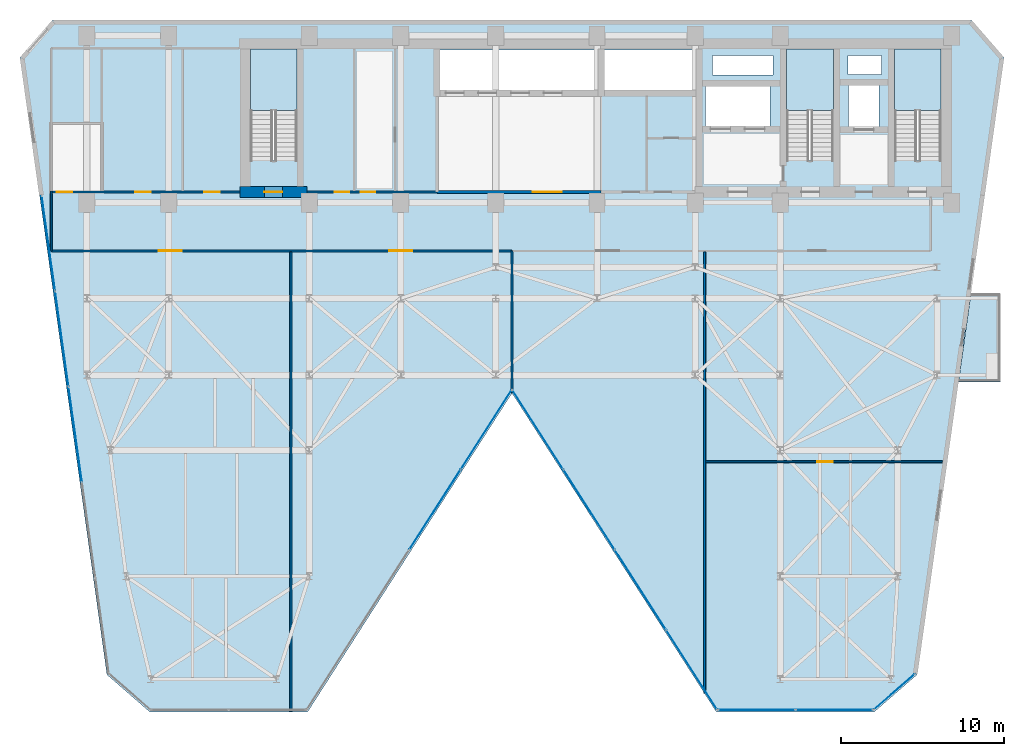
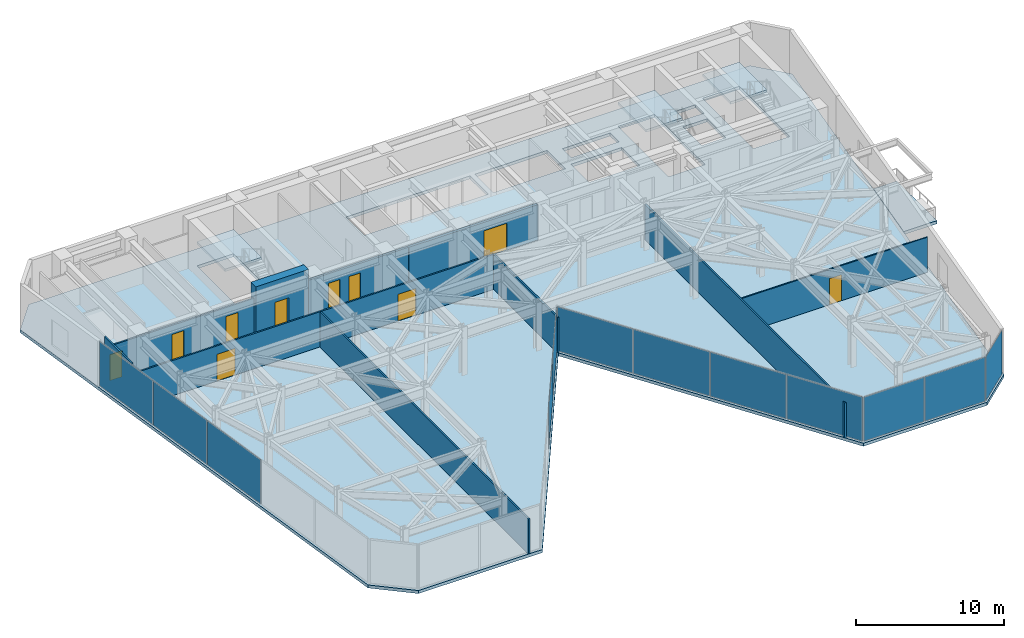
# One storey, part 21 of 26: 12 plates, 10 doors, 10 walls, 5 slabs, 10 openings, 8 elements without a shape of their own.
"""IFC4 building model written with IfcOpenShell, lengths in metres."""

from ifc_helpers import new_model, si_unit, direction, frame, frame_2d, origin, origin_2d, place, context, subcontext, project, spatial, polyline, rectangle, outline, extrude, material, layer, layer_set, type_object, element, fill, aggregate, save


model = new_model("IFC4")

# Units and contexts
model_context = context("Model", 3, precision=1e-05, world=origin(), true_north=direction((0.0, 1.0)))
body_context = subcontext(model_context, "Body", "Model", "MODEL_VIEW")
ifc_project = project(units=[si_unit("LENGTHUNIT", "METRE"), si_unit("AREAUNIT", "SQUARE_METRE"), si_unit("VOLUMEUNIT", "CUBIC_METRE"), si_unit("PLANEANGLEUNIT", "RADIAN"), si_unit("MASSUNIT", "GRAM", prefix="KILO")], contexts=[model_context])

# Site, building, storey
site_placement = place(None, origin())
site = spatial("IfcSite", under=ifc_project, at=site_placement, CompositionType="ELEMENT")
building_placement = place(site_placement, origin())
building = spatial("IfcBuilding", under=site, at=building_placement, Name="Kravanh Interchange Tower", CompositionType="ELEMENT")
storey_placement = place(building_placement, frame((0.0, 0.0, 120.0)))
storey = spatial("IfcBuildingStorey", under=building, at=storey_placement, Name="L28", CompositionType="ELEMENT", Elevation=120.0)

# Slab
ifc_material_1 = material(Name="Concrete C50/60", Category="concrete")
ifc_layer_1 = layer(ifc_material_1, 0.25)
ifc_layer_set_1 = layer_set([ifc_layer_1], Name="Composite Floor Slab Concrete C50/60 250mm")
slab_type_1 = type_object("IfcSlabType", Name="Composite Floor Slab Concrete C50/60 250mm", PredefinedType="FLOOR", material=ifc_layer_set_1)
slab_1_placement = place(storey_placement, frame((0.0, 0.0, -0.25)))
element("IfcSlab", 1, at=slab_1_placement, inside=storey, type_object=slab_type_1, Name="L28 Structural Floor Slab", PredefinedType="FLOOR", context=body_context, shape_type="SweptSolid", body=[
    extrude(outline(polyline([(14.82470703125, 8.4775390625), (17.44482421875, 6.199951171875), (27.10009765625, 6.199951171875), (39.60009765625, 25.699951171875), (52.10009765625, 6.199951171875), (61.755126953125, 6.199951171875), (64.375244140625, 8.4775390625), (69.679931640625, 46.222412109375), (67.699951171875, 48.5), (11.5, 48.5), (9.52001953125, 46.222412109375), (14.82470703125, 8.4775390625)]), holes=[polyline([(65.85009765625, 39.925048828125), (65.85009765625, 46.75), (63.0, 46.75), (63.0, 39.925048828125), (65.85009765625, 39.925048828125)]), polyline([(59.25, 39.925048828125), (59.25, 46.75), (56.39990234375, 46.75), (56.39990234375, 39.925048828125), (59.25, 39.925048828125)]), polyline([(26.449951171875, 39.925048828125), (26.449951171875, 46.75), (23.60009765625, 46.75), (23.60009765625, 39.925048828125), (26.449951171875, 39.925048828125)]), polyline([(35.179931640625, 44.219970703125), (44.840087890625, 44.219970703125), (44.840087890625, 46.699951171875), (35.179931640625, 46.699951171875), (35.179931640625, 44.219970703125)]), polyline([(45.239990234375, 44.219970703125), (50.840087890625, 44.219970703125), (50.840087890625, 46.699951171875), (45.239990234375, 46.699951171875), (45.239990234375, 44.219970703125)]), polyline([(51.419921875, 42.02001953125), (55.3798828125, 42.02001953125), (55.3798828125, 44.47998046875), (51.419921875, 44.47998046875), (51.419921875, 42.02001953125)]), polyline([(60.179931640625, 41.97998046875), (62.06005859375, 41.97998046875), (62.06005859375, 44.52001953125), (60.179931640625, 44.52001953125), (60.179931640625, 41.97998046875)]), polyline([(60.14990234375, 45.199951171875), (62.199951171875, 45.199951171875), (62.199951171875, 46.35009765625), (60.14990234375, 46.35009765625), (60.14990234375, 45.199951171875)]), polyline([(51.85009765625, 45.14990234375), (55.550048828125, 45.14990234375), (55.550048828125, 46.35009765625), (51.85009765625, 46.35009765625), (51.85009765625, 45.14990234375)])]), origin(), (0.0, 0.0, 1.0), 0.25),
])

# Stair, slab
ifc_material_2 = material(Name="Concrete C50/60", Category="concrete")
stair_type = type_object("IfcStairType", Name="Core Fire Exit Dogleg Stair Concrete C50/60", PredefinedType="HALF_TURN_STAIR", material=ifc_material_2)
stair_1_placement = place(storey_placement, origin())
stair_1 = element("IfcStair", 2, at=stair_1_placement, inside=storey, type_object=stair_type, Name="L28 Exit Stair ST1", PredefinedType="HALF_TURN_STAIR")
ifc_material_3 = material(Name="Concrete C50/60", Category="concrete")
ifc_layer_2 = layer(ifc_material_3, 0.199951171875)
ifc_layer_set_2 = layer_set([ifc_layer_2], Name="Concrete C50/60 Stair Half-Landing Slab 200mm")
slab_type_2 = type_object("IfcSlabType", Name="Concrete C50/60 Stair Half-Landing Slab 200mm", PredefinedType="LANDING", material=ifc_layer_set_2)
slab_2_placement = place(storey_placement, frame((0.0, 0.0, 1.800048828125)))
slab_2 = element("IfcSlab", 3, at=slab_2_placement, type_object=slab_type_2, Name="ST1 landing 1", PredefinedType="LANDING", context=body_context, shape_type="SweptSolid", body=[
    extrude(outline(polyline([(65.85009765625, 42.97998046875), (65.85009765625, 46.75), (63.0, 46.75), (63.0, 42.97998046875), (65.85009765625, 42.97998046875)])), origin(), (0.0, 0.0, 1.0), 0.199951171875),
])
aggregate(stair_1, [slab_2])

stair_2_placement = place(storey_placement, origin())
stair_2 = element("IfcStair", 4, at=stair_2_placement, inside=storey, type_object=stair_type, Name="L28 Exit Stair ST2", PredefinedType="HALF_TURN_STAIR")
slab_3_placement = place(storey_placement, frame((0.0, 0.0, 1.800048828125)))
slab_3 = element("IfcSlab", 5, at=slab_3_placement, type_object=slab_type_2, Name="ST2 landing 1", PredefinedType="LANDING", context=body_context, shape_type="SweptSolid", body=[
    extrude(outline(polyline([(59.25, 42.97998046875), (59.25, 46.75), (56.39990234375, 46.75), (56.39990234375, 42.97998046875), (59.25, 42.97998046875)])), origin(), (0.0, 0.0, 1.0), 0.199951171875),
])
aggregate(stair_2, [slab_3])

stair_3_placement = place(storey_placement, origin())
stair_3 = element("IfcStair", 6, at=stair_3_placement, inside=storey, type_object=stair_type, Name="L28 Exit Stair ST3", PredefinedType="HALF_TURN_STAIR")
slab_4_placement = place(storey_placement, frame((0.0, 0.0, 1.800048828125)))
slab_4 = element("IfcSlab", 7, at=slab_4_placement, type_object=slab_type_2, Name="ST3 landing 1", PredefinedType="LANDING", context=body_context, shape_type="SweptSolid", body=[
    extrude(outline(polyline([(26.449951171875, 42.97998046875), (26.449951171875, 46.75), (23.60009765625, 46.75), (23.60009765625, 42.97998046875), (26.449951171875, 42.97998046875)])), origin(), (0.0, 0.0, 1.0), 0.199951171875),
])
aggregate(stair_3, [slab_4])

# Slab
ifc_material_4 = material(Name="Concrete C50/60", Category="concrete")
ifc_layer_3 = layer(ifc_material_4, 0.199951171875)
ifc_layer_set_3 = layer_set([ifc_layer_3], Name="Planted Tree Balcony Slab Concrete C50/60 200mm")
slab_type_3 = type_object("IfcSlabType", Name="Planted Tree Balcony Slab Concrete C50/60 200mm", PredefinedType="USERDEFINED", material=ifc_layer_set_3)
slab_5_placement = place(storey_placement, frame((0.0, 0.0, -0.25)))
element("IfcSlab", 8, at=slab_5_placement, inside=storey, type_object=slab_type_3, Name="L28 East Tree Planter Balcony Slab", ObjectType="BALCONY", PredefinedType="USERDEFINED", context=body_context, shape_type="SweptSolid", body=[
    extrude(outline(polyline([(69.489990234375, 31.7900390625), (69.489990234375, 26.389892578125), (66.90771484375, 26.389892578125), (67.666748046875, 31.7900390625), (69.489990234375, 31.7900390625)])), origin(), (0.0, 0.0, 1.0), 0.25),
])

# Curtain wall, plates
ifc_material_5 = material(Name="Anodised Bronze Aluminium", Category="aluminium")
ifc_layer_4 = layer(ifc_material_5, 0.179931640625)
ifc_layer_set_4 = layer_set([ifc_layer_4], Name="Unitised Curtain Wall System CW-Z2 Mid Office")
curtain_wall_type = type_object("IfcCurtainWallType", Name="Unitised Curtain Wall System CW-Z2 Mid Office", PredefinedType="NOTDEFINED", material=ifc_layer_set_4)
curtain_wall_1_placement = place(storey_placement, origin())
curtain_wall_1 = element("IfcCurtainWall", 9, at=curtain_wall_1_placement, inside=storey, type_object=curtain_wall_type, Name="L28 Unitised Curtain Wall CW-L28-01", PredefinedType="NOTDEFINED")
ifc_material_6 = material(Name="Low-E Laminated Architectural Glass", Category="glass")
ifc_layer_5 = layer(ifc_material_6, 0.02587890625)
ifc_layer_set_5 = layer_set([ifc_layer_5], Name="Solar-Control Double Glazing 26mm")
plate_type = type_object("IfcPlateType", Name="Solar-Control Double Glazing 26mm", PredefinedType="CURTAIN_PANEL", material=ifc_layer_set_5)
plate_1_placement = place(storey_placement, frame((12.881103515625, 23.16943359375, 0.06005859375), z_axis=(0.0, 0.0, 1.0), x_axis=(-0.13917285118, 0.990268103846, 0.0)))
plate_1 = element("IfcPlate", 10, at=plate_1_placement, type_object=plate_type, Name="CW-Z2 panel 3.1", PredefinedType="CURTAIN_PANEL", context=body_context, shape_type="SweptSolid", body=[
    extrude(rectangle(XDim=5.849853515625, YDim=0.02587890625, at=origin_2d()), origin(), (0.0, 0.0, 1.0), 3.6298828125),
])
plate_2_placement = place(storey_placement, frame((12.058837890625, 29.021728515625, 0.06005859375), z_axis=(0.0, 0.0, 1.0), x_axis=(-0.13917285118, 0.990268103846, 0.0)))
plate_2 = element("IfcPlate", 11, at=plate_2_placement, type_object=plate_type, Name="CW-Z2 panel 4.1", PredefinedType="CURTAIN_PANEL", context=body_context, shape_type="SweptSolid", body=[
    extrude(rectangle(XDim=5.849853515625, YDim=0.02587890625, at=origin_2d()), origin(), (0.0, 0.0, 1.0), 3.6298828125),
])
plate_3_placement = place(storey_placement, frame((11.23828125, 34.859130859375, 0.06005859375), z_axis=(0.0, 0.0, 1.0), x_axis=(-0.13917285118, 0.990268103846, 0.0)))
plate_3 = element("IfcPlate", 12, at=plate_3_placement, type_object=plate_type, Name="CW-Z2 panel 5.1", PredefinedType="CURTAIN_PANEL", context=body_context, shape_type="SweptSolid", body=[
    extrude(rectangle(XDim=5.81982421875, YDim=0.02587890625, at=origin_2d()), origin(), (0.0, 0.0, 1.0), 3.6298828125),
])
aggregate(curtain_wall_1, [plate_1, plate_2, plate_3])

# Curtain wall, plate
curtain_wall_2_placement = place(storey_placement, origin())
curtain_wall_2 = element("IfcCurtainWall", 13, at=curtain_wall_2_placement, inside=storey, type_object=curtain_wall_type, Name="L28 Unitised Curtain Wall CW-L28-02", PredefinedType="NOTDEFINED")
plate_4_placement = place(storey_placement, frame((62.986328125, 7.429443359375, 0.06005859375), z_axis=(0.0, 0.0, 1.0), x_axis=(-0.754719458103, -0.656047665617, 0.0)))
plate_4 = element("IfcPlate", 14, at=plate_4_placement, type_object=plate_type, Name="CW-Z2 panel 1.1", PredefinedType="CURTAIN_PANEL", context=body_context, shape_type="SweptSolid", body=[
    extrude(rectangle(XDim=3.261962890625, YDim=0.02587890625, at=origin_2d()), origin(), (0.0, 0.0, 1.0), 3.6298828125),
])
aggregate(curtain_wall_2, [plate_4])

# Curtain wall, plates
curtain_wall_3_placement = place(storey_placement, origin())
curtain_wall_3 = element("IfcCurtainWall", 15, at=curtain_wall_3_placement, inside=storey, type_object=curtain_wall_type, Name="L28 Unitised Curtain Wall CW-L28-03", PredefinedType="NOTDEFINED")
plate_5_placement = place(storey_placement, frame((59.30908203125, 6.320068359375, 0.06005859375), z_axis=(0.0, 0.0, 1.0), x_axis=(-1.0, 0.0, 0.0)))
plate_5 = element("IfcPlate", 16, at=plate_5_placement, type_object=plate_type, Name="CW-Z2 panel 1.1", PredefinedType="CURTAIN_PANEL", context=body_context, shape_type="SweptSolid", body=[
    extrude(rectangle(XDim=4.682373046875, YDim=0.02587890625, at=origin_2d()), origin(), (0.0, 0.0, 1.0), 3.6298828125),
])
plate_6_placement = place(storey_placement, frame((54.566650390625, 6.320068359375, 0.06005859375), z_axis=(0.0, 0.0, 1.0), x_axis=(-1.0, 0.0, 0.0)))
plate_6 = element("IfcPlate", 17, at=plate_6_placement, type_object=plate_type, Name="CW-Z2 panel 2.1", PredefinedType="CURTAIN_PANEL", context=body_context, shape_type="SweptSolid", body=[
    extrude(rectangle(XDim=4.682373046875, YDim=0.02587890625, at=origin_2d()), origin(), (0.0, 0.0, 1.0), 3.6298828125),
])
aggregate(curtain_wall_3, [plate_5, plate_6])

curtain_wall_4_placement = place(storey_placement, origin())
curtain_wall_4 = element("IfcCurtainWall", 18, at=curtain_wall_4_placement, inside=storey, type_object=curtain_wall_type, Name="L28 Unitised Curtain Wall CW-L28-04", PredefinedType="NOTDEFINED")
plate_7_placement = place(storey_placement, frame((50.5869140625, 8.782958984375, 0.06005859375), z_axis=(0.0, 0.0, 1.0), x_axis=(-0.539664865919, 0.841879939476, 0.0)))
plate_7 = element("IfcPlate", 19, at=plate_7_placement, type_object=plate_type, Name="CW-Z2 panel 1.1", PredefinedType="CURTAIN_PANEL", context=body_context, shape_type="SweptSolid", body=[
    extrude(rectangle(XDim=5.73095703125, YDim=0.02587890625, at=origin_2d()), origin(), (0.0, 0.0, 1.0), 3.6298828125),
])
plate_8_placement = place(storey_placement, frame((47.45361328125, 13.6708984375, 0.06005859375), z_axis=(0.0, 0.0, 1.0), x_axis=(-0.539664865919, 0.841879939476, 0.0)))
plate_8 = element("IfcPlate", 20, at=plate_8_placement, type_object=plate_type, Name="CW-Z2 panel 2.1", PredefinedType="CURTAIN_PANEL", context=body_context, shape_type="SweptSolid", body=[
    extrude(rectangle(XDim=5.760986328125, YDim=0.02587890625, at=origin_2d()), origin(), (0.0, 0.0, 1.0), 3.6298828125),
])
plate_9_placement = place(storey_placement, frame((44.31201171875, 18.571533203125, 0.06005859375), z_axis=(0.0, 0.0, 1.0), x_axis=(-0.539664865919, 0.841879939476, 0.0)))
plate_9 = element("IfcPlate", 21, at=plate_9_placement, type_object=plate_type, Name="CW-Z2 panel 3.1", PredefinedType="CURTAIN_PANEL", context=body_context, shape_type="SweptSolid", body=[
    extrude(rectangle(XDim=5.760986328125, YDim=0.02587890625, at=origin_2d()), origin(), (0.0, 0.0, 1.0), 3.6298828125),
])
plate_10_placement = place(storey_placement, frame((41.1787109375, 23.45947265625, 0.06005859375), z_axis=(0.0, 0.0, 1.0), x_axis=(-0.539664865919, 0.841879939476, 0.0)))
plate_10 = element("IfcPlate", 22, at=plate_10_placement, type_object=plate_type, Name="CW-Z2 panel 4.1", PredefinedType="CURTAIN_PANEL", context=body_context, shape_type="SweptSolid", body=[
    extrude(rectangle(XDim=5.73095703125, YDim=0.02587890625, at=origin_2d()), origin(), (0.0, 0.0, 1.0), 3.6298828125),
])
aggregate(curtain_wall_4, [plate_7, plate_8, plate_9, plate_10])

curtain_wall_5_placement = place(storey_placement, origin())
curtain_wall_5 = element("IfcCurtainWall", 23, at=curtain_wall_5_placement, inside=storey, type_object=curtain_wall_type, Name="L28 Unitised Curtain Wall CW-L28-05", PredefinedType="NOTDEFINED")
plate_11_placement = place(storey_placement, frame((38.021240234375, 23.45947265625, 0.06005859375), z_axis=(0.0, 0.0, 1.0), x_axis=(-0.539664865919, -0.841879939476, 0.0)))
plate_11 = element("IfcPlate", 24, at=plate_11_placement, type_object=plate_type, Name="CW-Z2 panel 1.1", PredefinedType="CURTAIN_PANEL", context=body_context, shape_type="SweptSolid", body=[
    extrude(rectangle(XDim=5.73095703125, YDim=0.02587890625, at=origin_2d()), origin(), (0.0, 0.0, 1.0), 3.6298828125),
])
plate_12_placement = place(storey_placement, frame((34.887939453125, 18.571533203125, 0.06005859375), z_axis=(0.0, 0.0, 1.0), x_axis=(-0.539664865919, -0.841879939476, 0.0)))
plate_12 = element("IfcPlate", 25, at=plate_12_placement, type_object=plate_type, Name="CW-Z2 panel 2.1", PredefinedType="CURTAIN_PANEL", context=body_context, shape_type="SweptSolid", body=[
    extrude(rectangle(XDim=5.760986328125, YDim=0.02587890625, at=origin_2d()), origin(), (0.0, 0.0, 1.0), 3.6298828125),
])
aggregate(curtain_wall_5, [plate_11, plate_12])

# Wall, openings, doors
ifc_material_7 = material(Name="Double Acoustic Gypsum Board and Mineral Wool")
ifc_layer_6 = layer(ifc_material_7, 0.1201171875)
ifc_layer_set_6 = layer_set([ifc_layer_6], Name="Acoustic Office Drywall Partition 120mm")
wall_type_1 = type_object("IfcWallType", Name="Acoustic Office Drywall Partition 120mm", PredefinedType="PARTITIONING", material=ifc_layer_set_6)
wall_1_placement = place(storey_placement, frame((11.419921875, 38.0, 0.0), z_axis=(0.0, 0.0, 1.0), x_axis=(1.0, 0.0, 0.0)))
wall_1 = element("IfcWall", 26, at=wall_1_placement, inside=storey, type_object=wall_type_1, Name="L28 Restroom Corridor Wall 9", PredefinedType="PARTITIONING", context=body_context, shape_type="SweptSolid", body=[
    extrude(rectangle(XDim=11.530029296875, YDim=0.1201171875, at=frame_2d((5.76513671875, 0.0))), origin(), (0.0, 0.0, 1.0), 2.89404296875),
])
opening_1_placement = place(wall_1_placement, frame((0.3427734375, 0.0, 0.0)))
opening_1 = element("IfcOpeningElement", 27, at=opening_1_placement, cuts=wall_1, Name="Opening D-95", PredefinedType="OPENING", context=body_context, shape_type="SweptSolid", body=[
    extrude(rectangle(XDim=0.949951171875, YDim=2.14990234375, at=frame_2d((0.47509765625, 1.074951171875))), frame((0.0, 0.070068359375, 0.0), z_axis=(0.0, -1.0, 0.0), x_axis=(1.0, 0.0, 0.0)), (0.0, 0.0, 1.0), 0.14013671875),
])
opening_2_placement = place(wall_1_placement, frame((5.130126953125, 0.0, 0.0)))
opening_2 = element("IfcOpeningElement", 28, at=opening_2_placement, cuts=wall_1, Name="Opening D-95", PredefinedType="OPENING", context=body_context, shape_type="SweptSolid", body=[
    extrude(rectangle(XDim=0.949951171875, YDim=2.14990234375, at=frame_2d((0.47509765625, 1.074951171875))), frame((0.0, 0.070068359375, 0.0), z_axis=(0.0, -1.0, 0.0), x_axis=(1.0, 0.0, 0.0)), (0.0, 0.0, 1.0), 0.14013671875),
])
opening_3_placement = place(wall_1_placement, frame((9.344970703125, 0.0, 0.0)))
opening_3 = element("IfcOpeningElement", 29, at=opening_3_placement, cuts=wall_1, Name="Opening D-95", PredefinedType="OPENING", context=body_context, shape_type="SweptSolid", body=[
    extrude(rectangle(XDim=0.949951171875, YDim=2.14990234375, at=frame_2d((0.47509765625, 1.074951171875))), frame((0.0, 0.070068359375, 0.0), z_axis=(0.0, -1.0, 0.0), x_axis=(1.0, 0.0, 0.0)), (0.0, 0.0, 1.0), 0.14013671875),
])
ifc_material_8 = material(Name="Laminate Solid-Core Timber", Category="wood")
door_type_1 = type_object("IfcDoorType", Name="Accessible Restroom Door 950x2150", OperationType="NOTDEFINED", PredefinedType="DOOR", material=ifc_material_8)
door_1_placement = place(opening_1_placement, origin())
door_1 = element("IfcDoor", 30, at=door_1_placement, inside=storey, type_object=door_type_1, Name="L28 Accessible WC Door", OperationType="SINGLE_SWING_RIGHT", OverallHeight=2.14990234375, OverallWidth=0.949951171875, PredefinedType="DOOR", context=body_context, shape_type="SweptSolid", body=[
    extrude(rectangle(XDim=0.949951171875, YDim=2.14990234375, at=frame_2d((0.47509765625, 1.074951171875))), frame((0.0, 0.02490234375, 0.0), z_axis=(0.0, -1.0, 0.0), x_axis=(1.0, 0.0, 0.0)), (0.0, 0.0, 1.0), 0.050048828125),
])
fill(opening_1, door_1)
door_2_placement = place(opening_2_placement, origin())
door_2 = element("IfcDoor", 31, at=door_2_placement, inside=storey, type_object=door_type_1, Name="L28 Female WC Door", OperationType="SINGLE_SWING_LEFT", OverallHeight=2.14990234375, OverallWidth=0.949951171875, PredefinedType="DOOR", context=body_context, shape_type="SweptSolid", body=[
    extrude(rectangle(XDim=0.949951171875, YDim=2.14990234375, at=frame_2d((0.47509765625, 1.074951171875))), frame((0.0, 0.02490234375, 0.0), z_axis=(0.0, -1.0, 0.0), x_axis=(1.0, 0.0, 0.0)), (0.0, 0.0, 1.0), 0.050048828125),
])
fill(opening_2, door_2)
door_3_placement = place(opening_3_placement, origin())
door_3 = element("IfcDoor", 32, at=door_3_placement, inside=storey, type_object=door_type_1, Name="L28 Male WC Door", OperationType="SINGLE_SWING_RIGHT", OverallHeight=2.14990234375, OverallWidth=0.949951171875, PredefinedType="DOOR", context=body_context, shape_type="SweptSolid", body=[
    extrude(rectangle(XDim=0.949951171875, YDim=2.14990234375, at=frame_2d((0.47509765625, 1.074951171875))), frame((0.0, 0.02490234375, 0.0), z_axis=(0.0, -1.0, 0.0), x_axis=(1.0, 0.0, 0.0)), (0.0, 0.0, 1.0), 0.050048828125),
])
fill(opening_3, door_3)

wall_2_placement = place(storey_placement, frame((11.419921875, 34.39990234375, 0.0), z_axis=(0.0, 0.0, 1.0), x_axis=(1.0, 0.0, 0.0)))
wall_2 = element("IfcWall", 33, at=wall_2_placement, inside=storey, type_object=wall_type_1, Name="L28 Interior Partition 15", PredefinedType="PARTITIONING", context=body_context, shape_type="SweptSolid", body=[
    extrude(rectangle(XDim=28.18017578125, YDim=0.1201171875, at=frame_2d((14.090087890625, 0.0))), origin(), (0.0, 0.0, 1.0), 2.89404296875),
])
opening_4_placement = place(wall_2_placement, frame((6.5849609375, 0.0, 0.0)))
opening_4 = element("IfcOpeningElement", 34, at=opening_4_placement, cuts=wall_2, Name="Opening DBL-140", PredefinedType="OPENING", context=body_context, shape_type="SweptSolid", body=[
    extrude(rectangle(XDim=1.39990234375, YDim=2.199951171875, at=frame_2d((0.699951171875, 1.10009765625))), frame((0.0, 0.070068359375, 0.0), z_axis=(0.0, -1.0, 0.0), x_axis=(1.0, 0.0, 0.0)), (0.0, 0.0, 1.0), 0.14013671875),
])
opening_5_placement = place(wall_2_placement, frame((20.6748046875, 0.0, 0.0)))
opening_5 = element("IfcOpeningElement", 35, at=opening_5_placement, cuts=wall_2, Name="Opening DBL-140", PredefinedType="OPENING", context=body_context, shape_type="SweptSolid", body=[
    extrude(rectangle(XDim=1.39990234375, YDim=2.199951171875, at=frame_2d((0.699951171875, 1.10009765625))), frame((0.0, 0.070068359375, 0.0), z_axis=(0.0, -1.0, 0.0), x_axis=(1.0, 0.0, 0.0)), (0.0, 0.0, 1.0), 0.14013671875),
])
ifc_material_9 = material(Name="Acoustic Bronze-Framed Glass", Category="glass")
door_type_2 = type_object("IfcDoorType", Name="Hospitality Lounge Double Door 1400x2200", OperationType="DOUBLE_DOOR_SINGLE_SWING", PredefinedType="DOOR", material=ifc_material_9)
door_4_placement = place(opening_4_placement, origin())
door_4 = element("IfcDoor", 36, at=door_4_placement, inside=storey, type_object=door_type_2, Name="L28 Quantitative Research Study Door", OperationType="DOUBLE_DOOR_SINGLE_SWING", OverallHeight=2.199951171875, OverallWidth=1.39990234375, PredefinedType="DOOR", context=body_context, shape_type="SweptSolid", body=[
    extrude(rectangle(XDim=1.39990234375, YDim=2.199951171875, at=frame_2d((0.699951171875, 1.10009765625))), frame((0.0, 0.02490234375, 0.0), z_axis=(0.0, -1.0, 0.0), x_axis=(1.0, 0.0, 0.0)), (0.0, 0.0, 1.0), 0.050048828125),
])
fill(opening_4, door_4)
door_5_placement = place(opening_5_placement, origin())
door_5 = element("IfcDoor", 37, at=door_5_placement, inside=storey, type_object=door_type_2, Name="L28 Acoustic Focus Study A Door", OperationType="DOUBLE_DOOR_SINGLE_SWING", OverallHeight=2.199951171875, OverallWidth=1.39990234375, PredefinedType="DOOR", context=body_context, shape_type="SweptSolid", body=[
    extrude(rectangle(XDim=1.39990234375, YDim=2.199951171875, at=frame_2d((0.699951171875, 1.10009765625))), frame((0.0, 0.02490234375, 0.0), z_axis=(0.0, -1.0, 0.0), x_axis=(1.0, 0.0, 0.0)), (0.0, 0.0, 1.0), 0.050048828125),
])
fill(opening_5, door_5)

# Walls
wall_3_placement = place(storey_placement, frame((11.419921875, 34.39990234375, 0.0), z_axis=(0.0, 0.0, 1.0), x_axis=(0.0, 1.0, 0.0)))
element("IfcWall", 38, at=wall_3_placement, inside=storey, type_object=wall_type_1, Name="L28 Interior Partition 17", PredefinedType="PARTITIONING", context=body_context, shape_type="SweptSolid", body=[
    extrude(rectangle(XDim=3.650146484375, YDim=0.1201171875, at=frame_2d((1.8251953125, 0.0))), origin(), (0.0, 0.0, 1.0), 3.75),
])
wall_4_placement = place(storey_placement, frame((39.60009765625, 25.727783203125, 0.0), z_axis=(0.0, 0.0, 1.0), x_axis=(0.0, 1.0, 0.0)))
element("IfcWall", 39, at=wall_4_placement, inside=storey, type_object=wall_type_1, Name="L28 Interior Partition 19", PredefinedType="PARTITIONING", context=body_context, shape_type="SweptSolid", body=[
    extrude(rectangle(XDim=8.672119140625, YDim=0.1201171875, at=frame_2d((4.3359375, 0.0))), origin(), (0.0, 0.0, 1.0), 2.89404296875),
])
wall_5_placement = place(storey_placement, frame((26.070068359375, 6.215087890625, 0.0), z_axis=(0.0, 0.0, 1.0), x_axis=(0.0, 1.0, 0.0)))
element("IfcWall", 40, at=wall_5_placement, inside=storey, type_object=wall_type_1, Name="L28 Interior Partition 20", PredefinedType="PARTITIONING", context=body_context, shape_type="SweptSolid", body=[
    extrude(rectangle(XDim=28.116943359375, YDim=0.1201171875, at=frame_2d((14.05859375, 0.0))), origin(), (0.0, 0.0, 1.0), 2.89404296875),
])
wall_6_placement = place(storey_placement, frame((51.3798828125, 7.35107421875, 0.0), z_axis=(0.0, 0.0, 1.0), x_axis=(0.0, 1.0, 0.0)))
element("IfcWall", 41, at=wall_6_placement, inside=storey, type_object=wall_type_1, Name="L28 Interior Partition 21", PredefinedType="PARTITIONING", context=body_context, shape_type="SweptSolid", body=[
    extrude(rectangle(XDim=26.98095703125, YDim=0.1201171875, at=frame_2d((13.490478515625, 0.0))), origin(), (0.0, 0.0, 1.0), 2.89404296875),
])

# Wall, opening, door
ifc_material_10 = material(Name="Concrete C70/85", Category="concrete")
ifc_layer_7 = layer(ifc_material_10, 0.64990234375)
ifc_layer_set_7 = layer_set([ifc_layer_7], Name="Core Shear Wall Concrete C70/85 650mm")
wall_type_2 = type_object("IfcWallType", Name="Core Shear Wall Concrete C70/85 650mm", PredefinedType="SHEAR", material=ifc_layer_set_7)
wall_7_placement = place(storey_placement, frame((22.949951171875, 38.0, 0.0), z_axis=(0.0, 0.0, 1.0), x_axis=(1.0, 0.0, 0.0)))
wall_7 = element("IfcWall", 42, at=wall_7_placement, inside=storey, type_object=wall_type_2, Name="L28 Stair ST3 South Shear Wall", PredefinedType="SHEAR", context=body_context, shape_type="SweptSolid", body=[
    extrude(rectangle(XDim=4.10009765625, YDim=0.64990234375, at=frame_2d((2.050048828125, 0.0))), origin(), (0.0, 0.0, 1.0), 4.0),
])
opening_6_placement = place(wall_7_placement, frame((1.5, 0.0, 0.0)))
opening_6 = element("IfcOpeningElement", 43, at=opening_6_placement, cuts=wall_7, Name="Opening D-STAIR-110", PredefinedType="OPENING", context=body_context, shape_type="SweptSolid", body=[
    extrude(rectangle(XDim=1.10009765625, YDim=2.199951171875, at=frame_2d((0.550048828125, 1.10009765625))), frame((0.0, 0.3349609375, 0.0), z_axis=(0.0, -1.0, 0.0), x_axis=(1.0, 0.0, 0.0)), (0.0, 0.0, 1.0), 0.669921875),
])
ifc_material_11 = material(Name="Structural Steel S355", Category="steel")
door_type_3 = type_object("IfcDoorType", Name="Fire-Rated Exit Stair Door 1100x2200", OperationType="NOTDEFINED", PredefinedType="DOOR", material=ifc_material_11)
door_6_placement = place(opening_6_placement, origin())
door_6 = element("IfcDoor", 44, at=door_6_placement, inside=storey, type_object=door_type_3, Name="L28 Exit Stair ST3 Door", OperationType="SINGLE_SWING_RIGHT", OverallHeight=2.199951171875, OverallWidth=1.10009765625, PredefinedType="DOOR", context=body_context, shape_type="SweptSolid", body=[
    extrude(rectangle(XDim=1.10009765625, YDim=2.199951171875, at=frame_2d((0.550048828125, 1.10009765625))), frame((0.0, 0.02490234375, 0.0), z_axis=(0.0, -1.0, 0.0), x_axis=(1.0, 0.0, 0.0)), (0.0, 0.0, 1.0), 0.050048828125),
])
fill(opening_6, door_6)

ifc_material_12 = material(Name="Moisture-Resistant Gypsum Board and Mineral Wool")
ifc_layer_8 = layer(ifc_material_12, 0.10009765625)
ifc_layer_set_8 = layer_set([ifc_layer_8], Name="En-Suite Moisture-Resistant Partition 100mm")
wall_type_3 = type_object("IfcWallType", Name="En-Suite Moisture-Resistant Partition 100mm", PredefinedType="PARTITIONING", material=ifc_layer_set_8)
wall_8_placement = place(storey_placement, frame((51.447998046875, 21.5, 0.0), z_axis=(0.0, 0.0, 1.0), x_axis=(1.0, 0.0, 0.0)))
wall_8 = element("IfcWall", 45, at=wall_8_placement, inside=storey, type_object=wall_type_3, Name="L28 Interior Partition 22", PredefinedType="PARTITIONING", context=body_context, shape_type="SweptSolid", body=[
    extrude(rectangle(XDim=14.469482421875, YDim=0.10009765625, at=frame_2d((7.23486328125, 0.0))), origin(), (0.0, 0.0, 1.0), 2.89404296875),
])
opening_7_placement = place(wall_8_placement, frame((6.822021484375, 0.0, 0.0)))
opening_7 = element("IfcOpeningElement", 46, at=opening_7_placement, cuts=wall_8, Name="Opening D-95", PredefinedType="OPENING", context=body_context, shape_type="SweptSolid", body=[
    extrude(rectangle(XDim=0.949951171875, YDim=2.14990234375, at=frame_2d((0.47509765625, 1.074951171875))), frame((0.0, 0.06005859375, 0.0), z_axis=(0.0, -1.0, 0.0), x_axis=(1.0, 0.0, 0.0)), (0.0, 0.0, 1.0), 0.1201171875),
])
door_7_placement = place(opening_7_placement, origin())
door_7 = element("IfcDoor", 47, at=door_7_placement, inside=storey, type_object=door_type_1, Name="L28 Patent Archive Study Inner Door", OperationType="SINGLE_SWING_RIGHT", OverallHeight=2.14990234375, OverallWidth=0.949951171875, PredefinedType="DOOR", context=body_context, shape_type="SweptSolid", body=[
    extrude(rectangle(XDim=0.949951171875, YDim=2.14990234375, at=frame_2d((0.47509765625, 1.074951171875))), frame((0.0, 0.02490234375, 0.0), z_axis=(0.0, -1.0, 0.0), x_axis=(1.0, 0.0, 0.0)), (0.0, 0.0, 1.0), 0.050048828125),
])
fill(opening_7, door_7)

ifc_material_13 = material(Name="Autoclaved Aerated Concrete C30/37 Blockwork", Category="masonry")
ifc_layer_9 = layer(ifc_material_13, 0.179931640625)
ifc_layer_set_9 = layer_set([ifc_layer_9], Name="Fire-Rated Lobby and Corridor Wall Concrete C30/37 180mm")
wall_type_4 = type_object("IfcWallType", Name="Fire-Rated Lobby and Corridor Wall Concrete C30/37 180mm", PredefinedType="STANDARD", material=ifc_layer_set_9)
wall_9_placement = place(storey_placement, frame((35.0, 38.0, 0.0), z_axis=(0.0, 0.0, 1.0), x_axis=(1.0, 0.0, 0.0)))
wall_9 = element("IfcWall", 48, at=wall_9_placement, inside=storey, type_object=wall_type_4, Name="L28 Interior Partition 8", PredefinedType="STANDARD", context=body_context, shape_type="SweptSolid", body=[
    extrude(rectangle(XDim=10.050048828125, YDim=0.179931640625, at=frame_2d((5.02490234375, 0.0))), origin(), (0.0, 0.0, 1.0), 2.89404296875),
])
opening_8_placement = place(wall_9_placement, frame((5.85791015625, 0.0, 0.0)))
opening_8 = element("IfcOpeningElement", 49, at=opening_8_placement, cuts=wall_9, Name="Opening DBL-180", PredefinedType="OPENING", context=body_context, shape_type="SweptSolid", body=[
    extrude(rectangle(XDim=1.800048828125, YDim=2.199951171875, at=frame_2d((0.89990234375, 1.10009765625))), frame((0.0, 0.10009765625, 0.0), z_axis=(0.0, -1.0, 0.0), x_axis=(1.0, 0.0, 0.0)), (0.0, 0.0, 1.0), 0.199951171875),
])
ifc_material_14 = material(Name="Structural Steel S355", Category="steel")
door_type_4 = type_object("IfcDoorType", Name="Lift Lobby Double Fire Door 1800x2200", OperationType="DOUBLE_DOOR_SINGLE_SWING", PredefinedType="DOOR", material=ifc_material_14)
door_8_placement = place(opening_8_placement, origin())
door_8 = element("IfcDoor", 50, at=door_8_placement, inside=storey, type_object=door_type_4, Name="L28 Mid-Rise Lift Lobby Door", OperationType="DOUBLE_DOOR_SINGLE_SWING", OverallHeight=2.199951171875, OverallWidth=1.800048828125, PredefinedType="DOOR", context=body_context, shape_type="SweptSolid", body=[
    extrude(rectangle(XDim=1.800048828125, YDim=2.199951171875, at=frame_2d((0.89990234375, 1.10009765625))), frame((0.0, 0.02490234375, 0.0), z_axis=(0.0, -1.0, 0.0), x_axis=(1.0, 0.0, 0.0)), (0.0, 0.0, 1.0), 0.050048828125),
])
fill(opening_8, door_8)

# Wall, openings, doors
ifc_material_15 = material(Name="Twin Stud Acoustic Gypsum Board Wall")
ifc_layer_10 = layer(ifc_material_15, 0.14990234375)
ifc_layer_set_10 = layer_set([ifc_layer_10], Name="Medium-Duty Acoustic Partition 150mm")
wall_type_5 = type_object("IfcWallType", Name="Medium-Duty Acoustic Partition 150mm", PredefinedType="PARTITIONING", material=ifc_layer_set_10)
wall_10_placement = place(storey_placement, frame((27.050048828125, 38.0, 0.0), z_axis=(0.0, 0.0, 1.0), x_axis=(1.0, 0.0, 0.0)))
wall_10 = element("IfcWall", 51, at=wall_10_placement, inside=storey, type_object=wall_type_5, Name="L28 Interior Partition 4", PredefinedType="PARTITIONING", context=body_context, shape_type="SweptSolid", body=[
    extrude(rectangle(XDim=7.949951171875, YDim=0.14990234375, at=frame_2d((3.97509765625, 0.0))), origin(), (0.0, 0.0, 1.0), 2.89404296875),
])
opening_9_placement = place(wall_10_placement, frame((1.699951171875, 0.0, 0.0)))
opening_9 = element("IfcOpeningElement", 52, at=opening_9_placement, cuts=wall_10, Name="Opening D-90", PredefinedType="OPENING", context=body_context, shape_type="SweptSolid", body=[
    extrude(rectangle(XDim=0.89990234375, YDim=2.10009765625, at=frame_2d((0.449951171875, 1.050048828125))), frame((0.0, 0.0849609375, 0.0), z_axis=(0.0, -1.0, 0.0), x_axis=(1.0, 0.0, 0.0)), (0.0, 0.0, 1.0), 0.169921875),
])
opening_10_placement = place(wall_10_placement, frame((3.300048828125, 0.0, 0.0)))
opening_10 = element("IfcOpeningElement", 53, at=opening_10_placement, cuts=wall_10, Name="Opening D-90", PredefinedType="OPENING", context=body_context, shape_type="SweptSolid", body=[
    extrude(rectangle(XDim=0.89990234375, YDim=2.10009765625, at=frame_2d((0.449951171875, 1.050048828125))), frame((0.0, 0.0849609375, 0.0), z_axis=(0.0, -1.0, 0.0), x_axis=(1.0, 0.0, 0.0)), (0.0, 0.0, 1.0), 0.169921875),
])
ifc_material_16 = material(Name="Painted Solid-Core Timber", Category="wood")
door_type_5 = type_object("IfcDoorType", Name="Service Room Door 900x2100", OperationType="NOTDEFINED", PredefinedType="DOOR", material=ifc_material_16)
door_9_placement = place(opening_9_placement, origin())
door_9 = element("IfcDoor", 54, at=door_9_placement, inside=storey, type_object=door_type_5, Name="L28 First Aid Lobby Door", OperationType="SINGLE_SWING_LEFT", OverallHeight=2.10009765625, OverallWidth=0.89990234375, PredefinedType="DOOR", context=body_context, shape_type="SweptSolid", body=[
    extrude(rectangle(XDim=0.89990234375, YDim=2.10009765625, at=frame_2d((0.449951171875, 1.050048828125))), frame((0.0, 0.02490234375, 0.0), z_axis=(0.0, -1.0, 0.0), x_axis=(1.0, 0.0, 0.0)), (0.0, 0.0, 1.0), 0.050048828125),
])
fill(opening_9, door_9)
door_10_placement = place(opening_10_placement, origin())
door_10 = element("IfcDoor", 55, at=door_10_placement, inside=storey, type_object=door_type_5, Name="L28 Lactation Suite Door", OperationType="SINGLE_SWING_RIGHT", OverallHeight=2.10009765625, OverallWidth=0.89990234375, PredefinedType="DOOR", context=body_context, shape_type="SweptSolid", body=[
    extrude(rectangle(XDim=0.89990234375, YDim=2.10009765625, at=frame_2d((0.449951171875, 1.050048828125))), frame((0.0, 0.02490234375, 0.0), z_axis=(0.0, -1.0, 0.0), x_axis=(1.0, 0.0, 0.0)), (0.0, 0.0, 1.0), 0.050048828125),
])
fill(opening_10, door_10)

save(model, "model.ifc")
